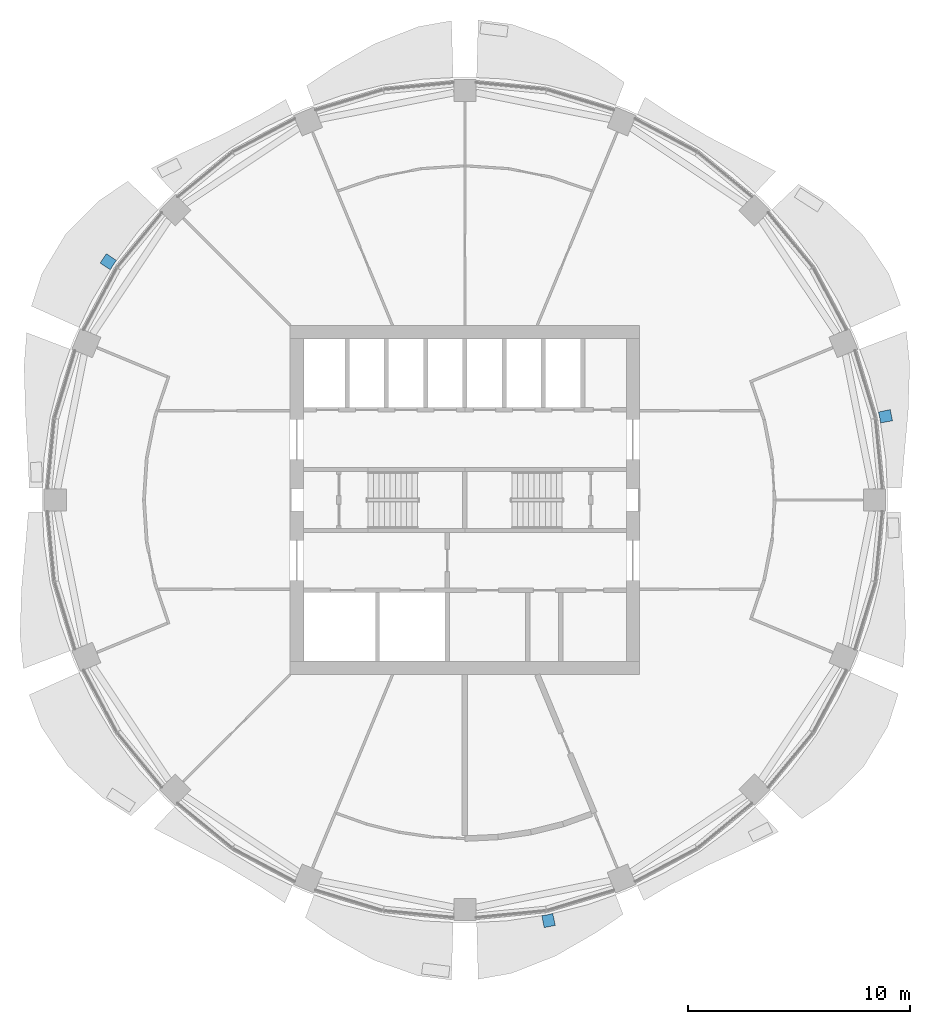
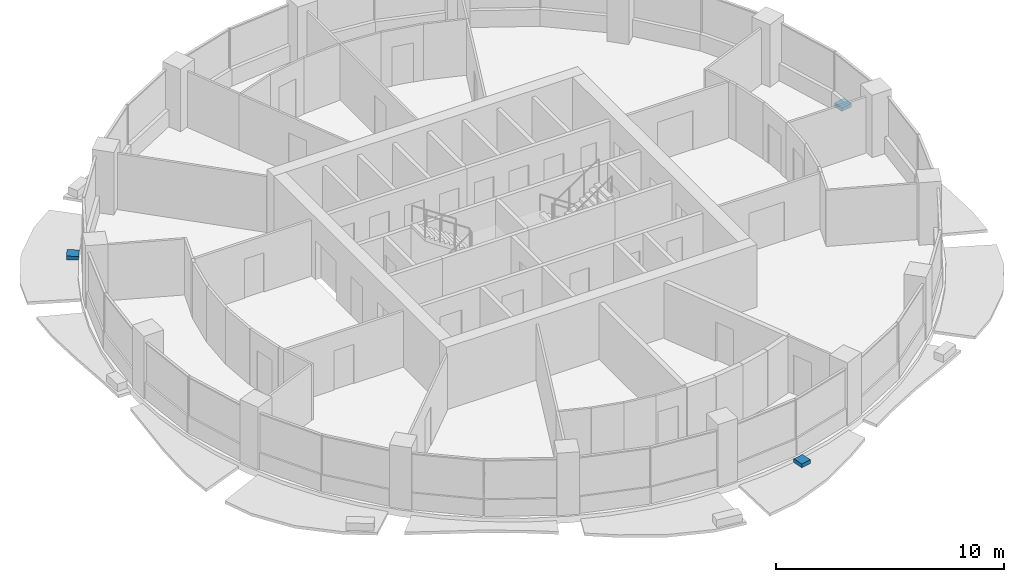
# One storey, part 11 of 15: 3 discrete accessories.
"""IFC4 building model written with IfcOpenShell, lengths in metres."""

from ifc_helpers import new_model, si_unit, direction, frame, origin, place, context, subcontext, project, spatial, polyline, outline, extrude, material, type_object, element, save


model = new_model("IFC4")

# Units and contexts
model_context = context("Model", 3, precision=1e-05, world=origin(), true_north=direction((0.0, 1.0)))
body_context = subcontext(model_context, "Body", "Model", "MODEL_VIEW")
ifc_project = project(units=[si_unit("LENGTHUNIT", "METRE"), si_unit("AREAUNIT", "SQUARE_METRE"), si_unit("VOLUMEUNIT", "CUBIC_METRE"), si_unit("PLANEANGLEUNIT", "RADIAN"), si_unit("MASSUNIT", "GRAM", prefix="KILO")], contexts=[model_context])

# Site, building, storey
site_placement = place(None, origin())
site = spatial("IfcSite", under=ifc_project, at=site_placement, CompositionType="ELEMENT")
building_placement = place(site_placement, origin())
building = spatial("IfcBuilding", under=site, at=building_placement, Name="Polderwave Tower", CompositionType="ELEMENT")
storey_placement = place(building_placement, frame((0.0, 0.0, 120.949951171875)))
storey = spatial("IfcBuildingStorey", under=building, at=storey_placement, Name="L31", CompositionType="ELEMENT", Elevation=120.949951171875)

# Discrete accessories
ifc_material = material(Name="Steel S355", Category="steel")
discrete_accessory_type = type_object("IfcDiscreteAccessoryType", Name="Band bracket pad", PredefinedType="BRACKET", material=ifc_material)
discrete_accessory_1_placement = place(storey_placement, frame((0.0, 0.0, -0.199951171875)))
element("IfcDiscreteAccessory", 1, at=discrete_accessory_1_placement, inside=storey, type_object=discrete_accessory_type, Name="Band bracket L31 1", PredefinedType="BRACKET", context=body_context, shape_type="SweptSolid", body=[
    extrude(outline(polyline([(18.73046875, 3.47119140625), (18.69384765625, 3.718505859375), (18.633056640625, 3.9609375), (19.1708984375, 4.0751953125), (19.271240234375, 3.5712890625), (18.73046875, 3.47119140625)])), origin(), (0.0, 0.0, 1.0), 0.199951171875),
])
discrete_accessory_2_placement = place(storey_placement, frame((0.0, 0.0, -0.199951171875)))
element("IfcDiscreteAccessory", 2, at=discrete_accessory_2_placement, inside=storey, type_object=discrete_accessory_type, Name="Band bracket L31 7", PredefinedType="BRACKET", context=body_context, shape_type="SweptSolid", body=[
    extrude(outline(polyline([(-15.698974609375, 10.7900390625), (-15.847900390625, 10.589111328125), (-15.976318359375, 10.374755859375), (-16.4375, 10.67431640625), (-16.152099609375, 11.1015625), (-15.698974609375, 10.7900390625)])), origin(), (0.0, 0.0, 1.0), 0.199951171875),
])
discrete_accessory_3_placement = place(storey_placement, frame((0.0, 0.0, -0.199951171875)))
element("IfcDiscreteAccessory", 3, at=discrete_accessory_3_placement, inside=storey, type_object=discrete_accessory_type, Name="Band bracket L31 13", PredefinedType="BRACKET", context=body_context, shape_type="SweptSolid", body=[
    extrude(outline(polyline([(3.47119140625, -18.73046875), (3.718505859375, -18.69384765625), (3.9609375, -18.633056640625), (4.0751953125, -19.1708984375), (3.5712890625, -19.271240234375), (3.47119140625, -18.73046875)])), origin(), (0.0, 0.0, 1.0), 0.199951171875),
])

save(model, "model.ifc")
